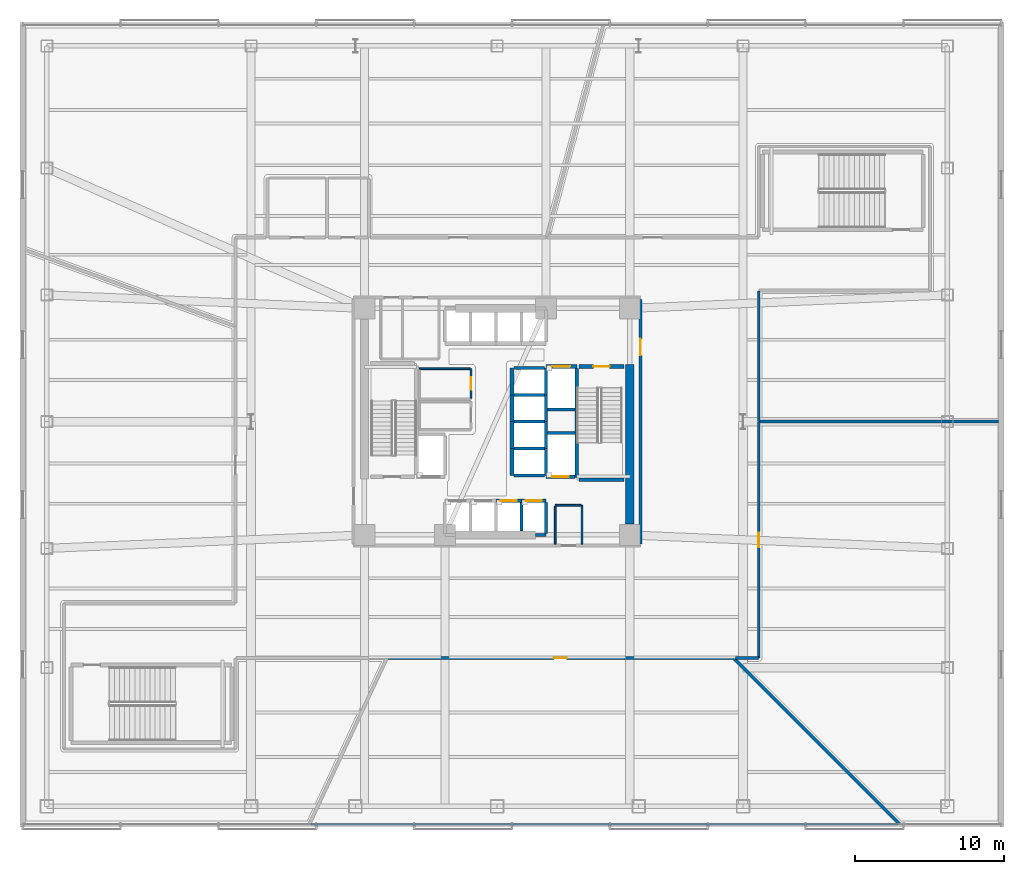
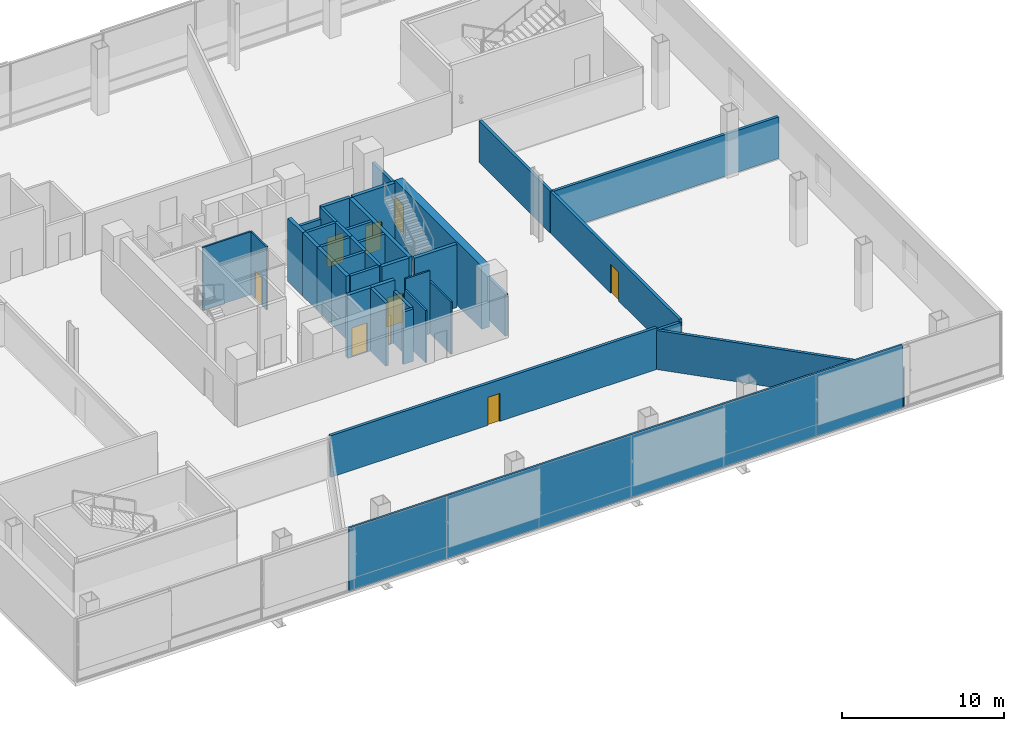
# One storey, part 12 of 24: 39 walls, 9 doors, 9 openings.
"""IFC4 building model written with IfcOpenShell, lengths in metres."""

from ifc_helpers import new_model, si_unit, direction, frame, frame_2d, origin, place, context, subcontext, project, spatial, rectangle, extrude, material, layer, layer_set, type_object, element, fill, save


model = new_model("IFC4")

# Units and contexts
model_context = context("Model", 3, precision=1e-05, world=origin(), true_north=direction((0.0, 1.0)))
body_context = subcontext(model_context, "Body", "Model", "MODEL_VIEW")
ifc_project = project(units=[si_unit("LENGTHUNIT", "METRE"), si_unit("AREAUNIT", "SQUARE_METRE"), si_unit("VOLUMEUNIT", "CUBIC_METRE"), si_unit("PLANEANGLEUNIT", "RADIAN"), si_unit("MASSUNIT", "GRAM", prefix="KILO")], contexts=[model_context])

# Site, building, storey
site_placement = place(None, origin())
site = spatial("IfcSite", under=ifc_project, at=site_placement, CompositionType="ELEMENT")
building_placement = place(site_placement, origin())
building = spatial("IfcBuilding", under=site, at=building_placement, Name="Tharavind Bronze Gate", CompositionType="ELEMENT")
storey_placement = place(building_placement, frame((0.0, 0.0, 21.5)))
storey = spatial("IfcBuildingStorey", under=building, at=storey_placement, Name="L04", CompositionType="ELEMENT", Elevation=21.5)

# Wall, opening, door
ifc_material_1 = material(Name="Aerated Concrete Block", Category="concrete")
ifc_layer_1 = layer(ifc_material_1, 0.199951171875)
ifc_layer_set_1 = layer_set([ifc_layer_1], Name="Aerated Concrete Block")
wall_type_1 = type_object("IfcWallType", Name="FIRE RATED PARTITION 200", PredefinedType="PARTITIONING", material=ifc_layer_set_1)
wall_1_placement = place(storey_placement, frame((9.6201171875, -8.199951171875, 0.0), z_axis=(0.0, 0.0, 1.0), x_axis=(0.0, 1.0, 0.0)))
wall_1 = element("IfcWall", 1, at=wall_1_placement, inside=storey, type_object=wall_type_1, Name="L04 east core corridor wall", PredefinedType="PARTITIONING", context=body_context, shape_type="SweptSolid", body=[
    extrude(rectangle(XDim=16.39990234375, YDim=0.199951171875, at=frame_2d((8.199951171875, 0.0))), origin(), (0.0, 0.0, 1.0), 3.135009765625),
])
opening_1_placement = place(wall_1_placement, frame((12.64990234375, 0.0, 0.0)))
opening_1 = element("IfcOpeningElement", 2, at=opening_1_placement, cuts=wall_1, Name="Opening ID01", PredefinedType="OPENING", context=body_context, shape_type="SweptSolid", body=[
    extrude(rectangle(XDim=1.10009765625, YDim=2.14990234375, at=frame_2d((0.550048828125, 1.074951171875))), frame((0.0, 0.11009765625, 0.0), z_axis=(0.0, -1.0, 0.0), x_axis=(1.0, 0.0, 0.0)), (0.0, 0.0, 1.0), 0.219951171875),
])
ifc_material_2 = material(Name="Fire-Rated Steel", Category="steel")
door_type_1 = type_object("IfcDoorType", Name="STAIR CORE FIRE DOOR 1100X2150", OperationType="SINGLE_SWING_LEFT", PredefinedType="DOOR", material=ifc_material_2)
door_1_placement = place(opening_1_placement, frame((1.10009765625, 0.0, 0.0), z_axis=(0.0, 0.0, 1.0), x_axis=(-1.0, 0.0, 0.0)))
door_1 = element("IfcDoor", 3, at=door_1_placement, inside=storey, type_object=door_type_1, Name="L04 north east stair lobby fire door", OperationType="SINGLE_SWING_LEFT", OverallHeight=2.14990234375, OverallWidth=1.10009765625, PredefinedType="DOOR", context=body_context, shape_type="SweptSolid", body=[
    extrude(rectangle(XDim=1.10009765625, YDim=2.14990234375, at=frame_2d((0.550048828125, 1.074951171875))), frame((0.0, 0.02490234375, 0.0), z_axis=(0.0, -1.0, 0.0), x_axis=(1.0, 0.0, 0.0)), (0.0, 0.0, 1.0), 0.050048828125),
])
fill(opening_1, door_1)

wall_2_placement = place(storey_placement, frame((-7.375, -15.85009765625, 0.0), z_axis=(0.0, 0.0, 1.0), x_axis=(1.0, 0.0, 0.0)))
wall_2 = element("IfcWall", 4, at=wall_2_placement, inside=storey, type_object=wall_type_1, Name="L04 Public Restrooms & Locker Block partition", PredefinedType="PARTITIONING", context=body_context, shape_type="SweptSolid", body=[
    extrude(rectangle(XDim=23.214599609375, YDim=0.199951171875, at=frame_2d((11.607421875, 0.0))), origin(), (0.0, 0.0, 1.0), 3.135009765625),
])
opening_2_placement = place(wall_2_placement, frame((11.181884765625, 0.0, 0.0)))
opening_2 = element("IfcOpeningElement", 5, at=opening_2_placement, cuts=wall_2, Name="Opening ID06", PredefinedType="OPENING", context=body_context, shape_type="SweptSolid", body=[
    extrude(rectangle(XDim=0.85009765625, YDim=2.10009765625, at=frame_2d((0.425048828125, 1.050048828125))), frame((0.0, 0.11009765625, 0.0), z_axis=(0.0, -1.0, 0.0), x_axis=(1.0, 0.0, 0.0)), (0.0, 0.0, 1.0), 0.219951171875),
])
ifc_material_3 = material(Name="Moisture-Resistant Timber", Category="wood")
door_type_2 = type_object("IfcDoorType", Name="BATHROOM PRIVACY DOOR 850X2100", OperationType="SINGLE_SWING_RIGHT", PredefinedType="DOOR", material=ifc_material_3)
door_2_placement = place(opening_2_placement, origin())
door_2 = element("IfcDoor", 6, at=door_2_placement, inside=storey, type_object=door_type_2, Name="L04 Public Restrooms & Locker Block door", OperationType="SINGLE_SWING_RIGHT", OverallHeight=2.10009765625, OverallWidth=0.85009765625, PredefinedType="DOOR", context=body_context, shape_type="SweptSolid", body=[
    extrude(rectangle(XDim=0.85009765625, YDim=2.10009765625, at=frame_2d((0.425048828125, 1.050048828125))), frame((0.0, 0.02490234375, 0.0), z_axis=(0.0, -1.0, 0.0), x_axis=(1.0, 0.0, 0.0)), (0.0, 0.0, 1.0), 0.050048828125),
])
fill(opening_2, door_2)

# Walls
wall_3_placement = place(storey_placement, frame((15.857421875, -15.857421875, 0.0), z_axis=(0.0, 0.0, 1.0), x_axis=(0.707106781187, -0.707106781187, 0.0)))
element("IfcWall", 7, at=wall_3_placement, inside=storey, type_object=wall_type_1, Name="L04 Public Restrooms & Locker Block partition", PredefinedType="PARTITIONING", context=body_context, shape_type="SweptSolid", body=[
    extrude(rectangle(XDim=15.786376953125, YDim=0.199951171875, at=frame_2d((7.89306640625, 0.0))), origin(), (0.0, 0.0, 1.0), 2.93505859375),
])
wall_4_placement = place(storey_placement, frame((33.639892578125, 0.0, 0.0), z_axis=(0.0, 0.0, 1.0), x_axis=(-1.0, 0.0, 0.0)))
element("IfcWall", 8, at=wall_4_placement, inside=storey, type_object=wall_type_1, Name="L04 Wellness Spa Treatment Hall partition", PredefinedType="PARTITIONING", context=body_context, shape_type="SweptSolid", body=[
    extrude(rectangle(XDim=16.06494140625, YDim=0.199951171875, at=frame_2d((8.032470703125, 0.0))), origin(), (0.0, 0.0, 1.0), 3.135009765625),
])
wall_5_placement = place(storey_placement, frame((17.550048828125, 0.02490234375, 0.0), z_axis=(0.0, 0.0, 1.0), x_axis=(0.0, 1.0, 0.0)))
element("IfcWall", 9, at=wall_5_placement, inside=storey, type_object=wall_type_1, Name="L04 Wellness Spa Treatment Hall partition", PredefinedType="PARTITIONING", context=body_context, shape_type="SweptSolid", body=[
    extrude(rectangle(XDim=8.75, YDim=0.199951171875, at=frame_2d((4.375, 0.0))), origin(), (0.0, 0.0, 1.0), 3.135009765625),
])

# Wall, opening, door
wall_6_placement = place(storey_placement, frame((17.550048828125, -15.849365234375, 0.0), z_axis=(0.0, 0.0, 1.0), x_axis=(0.0, 1.0, 0.0)))
wall_6 = element("IfcWall", 10, at=wall_6_placement, inside=storey, type_object=wall_type_1, Name="L04 Wellness Administration Office partition", PredefinedType="PARTITIONING", context=body_context, shape_type="SweptSolid", body=[
    extrude(rectangle(XDim=15.824462890625, YDim=0.199951171875, at=frame_2d((7.912109375, 0.0))), origin(), (0.0, 0.0, 1.0), 3.135009765625),
])
opening_3_placement = place(wall_6_placement, frame((7.412109375, 0.0, 0.0)))
opening_3 = element("IfcOpeningElement", 11, at=opening_3_placement, cuts=wall_6, Name="Opening ID04", PredefinedType="OPENING", context=body_context, shape_type="SweptSolid", body=[
    extrude(rectangle(XDim=1.0, YDim=2.14990234375, at=frame_2d((0.5, 1.074951171875))), frame((0.0, 0.11009765625, 0.0), z_axis=(0.0, -1.0, 0.0), x_axis=(1.0, 0.0, 0.0)), (0.0, 0.0, 1.0), 0.219951171875),
])
ifc_material_4 = material(Name="Bronze Framed Acoustic Timber", Category="wood")
door_type_3 = type_object("IfcDoorType", Name="OFFICE TENANCY DOOR 1000X2150", OperationType="SINGLE_SWING_RIGHT", PredefinedType="DOOR", material=ifc_material_4)
door_3_placement = place(opening_3_placement, origin())
door_3 = element("IfcDoor", 12, at=door_3_placement, inside=storey, type_object=door_type_3, Name="L04 Wellness Administration Office door", OperationType="SINGLE_SWING_RIGHT", OverallHeight=2.14990234375, OverallWidth=1.0, PredefinedType="DOOR", context=body_context, shape_type="SweptSolid", body=[
    extrude(rectangle(XDim=1.0, YDim=2.14990234375, at=frame_2d((0.5, 1.074951171875))), frame((0.0, 0.02490234375, 0.0), z_axis=(0.0, -1.0, 0.0), x_axis=(1.0, 0.0, 0.0)), (0.0, 0.0, 1.0), 0.050048828125),
])
fill(opening_3, door_3)

# Wall
wall_7_placement = place(storey_placement, frame((15.99853515625, -15.85009765625, 0.0), z_axis=(0.0, 0.0, 1.0), x_axis=(1.0, 0.0, 0.0)))
element("IfcWall", 13, at=wall_7_placement, inside=storey, type_object=wall_type_1, Name="L04 Wellness Administration Office partition", PredefinedType="PARTITIONING", context=body_context, shape_type="SweptSolid", body=[
    extrude(rectangle(XDim=1.55078125, YDim=0.199951171875, at=frame_2d((0.775390625, 0.0))), origin(), (0.0, 0.0, 1.0), 2.93505859375),
])

# Wall, opening, door
ifc_material_5 = material(Name="Metal Stud Gypsum Partition", Category="gypsum")
ifc_layer_2 = layer(ifc_material_5, 0.1201171875)
ifc_layer_set_2 = layer_set([ifc_layer_2], Name="Metal Stud Gypsum Partition")
wall_type_2 = type_object("IfcWallType", Name="INTERIOR PARTITION WALL 120", PredefinedType="PARTITIONING", material=ifc_layer_set_2)
wall_8_placement = place(storey_placement, frame((-1.75, 1.5849609375, 0.0), z_axis=(0.0, 0.0, 1.0), x_axis=(0.0, 1.0, 0.0)))
wall_8 = element("IfcWall", 14, at=wall_8_placement, inside=storey, type_object=wall_type_2, Name="L04 Cleaner Store Room partition 2", PredefinedType="PARTITIONING", context=body_context, shape_type="SweptSolid", body=[
    extrude(rectangle(XDim=1.965087890625, YDim=0.1201171875, at=frame_2d((0.982421875, 0.0))), origin(), (0.0, 0.0, 1.0), 4.739990234375),
])
opening_4_placement = place(wall_8_placement, frame((0.556884765625, 0.0, 0.0)))
opening_4 = element("IfcOpeningElement", 15, at=opening_4_placement, cuts=wall_8, Name="Opening ID06", PredefinedType="OPENING", context=body_context, shape_type="SweptSolid", body=[
    extrude(rectangle(XDim=0.85009765625, YDim=2.10009765625, at=frame_2d((0.425048828125, 1.050048828125))), frame((0.0, 0.07005859375, 0.0), z_axis=(0.0, -1.0, 0.0), x_axis=(1.0, 0.0, 0.0)), (0.0, 0.0, 1.0), 0.1401171875),
])
door_4_placement = place(opening_4_placement, frame((0.85009765625, 0.0, 0.0), z_axis=(0.0, 0.0, 1.0), x_axis=(-1.0, 0.0, 0.0)))
door_4 = element("IfcDoor", 16, at=door_4_placement, inside=storey, type_object=door_type_2, Name="L04 Cleaner Store Room door", OperationType="SINGLE_SWING_RIGHT", OverallHeight=2.10009765625, OverallWidth=0.85009765625, PredefinedType="DOOR", context=body_context, shape_type="SweptSolid", body=[
    extrude(rectangle(XDim=0.85009765625, YDim=2.10009765625, at=frame_2d((0.425048828125, 1.050048828125))), frame((0.0, 0.02490234375, 0.0), z_axis=(0.0, -1.0, 0.0), x_axis=(1.0, 0.0, 0.0)), (0.0, 0.0, 1.0), 0.050048828125),
])
fill(opening_4, door_4)

# Walls
wall_9_placement = place(storey_placement, frame((-1.81494140625, 3.550048828125, 0.0), z_axis=(0.0, 0.0, 1.0), x_axis=(-1.0, 0.0, 0.0)))
element("IfcWall", 17, at=wall_9_placement, inside=storey, type_object=wall_type_2, Name="L04 Cleaner Store Room partition 3", PredefinedType="PARTITIONING", context=body_context, shape_type="SweptSolid", body=[
    extrude(rectangle(XDim=3.405029296875, YDim=0.1201171875, at=frame_2d((1.70263671875, 0.0))), origin(), (0.0, 0.0, 1.0), 4.739990234375),
])
wall_10_placement = place(storey_placement, frame((5.699951171875, -8.215087890625, 0.0), z_axis=(0.0, 0.0, 1.0), x_axis=(0.0, 1.0, 0.0)))
element("IfcWall", 18, at=wall_10_placement, inside=storey, type_object=wall_type_2, Name="L04 Janitor Store Cupboard partition 2", PredefinedType="PARTITIONING", context=body_context, shape_type="SweptSolid", body=[
    extrude(rectangle(XDim=2.614990234375, YDim=0.1201171875, at=frame_2d((1.3076171875, 0.0))), origin(), (0.0, 0.0, 1.0), 3.93505859375),
])
wall_11_placement = place(storey_placement, frame((5.635009765625, -5.60009765625, 0.0), z_axis=(0.0, 0.0, 1.0), x_axis=(-1.0, 0.0, 0.0)))
element("IfcWall", 19, at=wall_11_placement, inside=storey, type_object=wall_type_2, Name="L04 Janitor Store Cupboard partition 3", PredefinedType="PARTITIONING", context=body_context, shape_type="SweptSolid", body=[
    extrude(rectangle(XDim=1.735107421875, YDim=0.1201171875, at=frame_2d((0.86767578125, 0.0))), origin(), (0.0, 0.0, 1.0), 4.739990234375),
])
wall_12_placement = place(storey_placement, frame((3.89990234375, -5.6650390625, 0.0), z_axis=(0.0, 0.0, 1.0), x_axis=(0.0, -1.0, 0.0)))
element("IfcWall", 20, at=wall_12_placement, inside=storey, type_object=wall_type_2, Name="L04 Janitor Store Cupboard partition 4", PredefinedType="PARTITIONING", context=body_context, shape_type="SweptSolid", body=[
    extrude(rectangle(XDim=2.550048828125, YDim=0.1201171875, at=frame_2d((1.27490234375, 0.0))), origin(), (0.0, 0.0, 1.0), 3.93505859375),
])
ifc_material_6 = material(Name="Twin Stud Acoustic Gypsum", Category="gypsum")
ifc_layer_3 = layer(ifc_material_6, 0.14990234375)
ifc_layer_set_3 = layer_set([ifc_layer_3], Name="Twin Stud Acoustic Gypsum")
wall_type_3 = type_object("IfcWallType", Name="INTERIOR PARTITION WALL 150", PredefinedType="PARTITIONING", material=ifc_layer_set_3)
wall_13_placement = place(storey_placement, frame((26.87158203125, -27.02001953125, 0.0), z_axis=(0.0, 0.0, 1.0), x_axis=(-1.0, 0.0, 0.0)))
element("IfcWall", 21, at=wall_13_placement, inside=storey, type_object=wall_type_3, Name="L04 Public Restrooms & Locker Block partition", PredefinedType="PARTITIONING", context=body_context, shape_type="SweptSolid", body=[
    extrude(rectangle(XDim=39.355224609375, YDim=0.14990234375, at=frame_2d((19.677734375, 0.0))), origin(), (0.0, 0.0, 1.0), 4.739990234375),
])
ifc_material_7 = material(Name="Concrete C50/60", Category="concrete")
ifc_layer_4 = layer(ifc_material_7, 0.25)
ifc_layer_set_4 = layer_set([ifc_layer_4], Name="Concrete C50/60")
wall_type_4 = type_object("IfcWallType", Name="RC CORE SHEAR WALL 250", PredefinedType="SHEAR", material=ifc_layer_set_4)
wall_14_placement = place(storey_placement, frame((5.35009765625, -3.75, 0.0), z_axis=(0.0, 0.0, 1.0), x_axis=(0.0, 1.0, 0.0)))
element("IfcWall", 22, at=wall_14_placement, inside=storey, type_object=wall_type_4, Name="L04 ST2 shaft west wall", PredefinedType="SHEAR", context=body_context, shape_type="SweptSolid", body=[
    extrude(rectangle(XDim=7.300048828125, YDim=0.25, at=frame_2d((3.64990234375, 0.0))), origin(), (0.0, 0.0, 1.0), 4.739990234375),
])

# Wall, opening, door
wall_15_placement = place(storey_placement, frame((5.5, 3.699951171875, 0.0), z_axis=(0.0, 0.0, 1.0), x_axis=(1.0, 0.0, 0.0)))
wall_15 = element("IfcWall", 23, at=wall_15_placement, inside=storey, type_object=wall_type_4, Name="L04 ST2 shaft north wall", PredefinedType="SHEAR", context=body_context, shape_type="SweptSolid", body=[
    extrude(rectangle(XDim=3.0, YDim=0.25, at=frame_2d((1.5, 0.0))), origin(), (0.0, 0.0, 1.0), 4.739990234375),
])
opening_5_placement = place(wall_15_placement, frame((0.949951171875, 0.0, 0.0)))
opening_5 = element("IfcOpeningElement", 24, at=opening_5_placement, cuts=wall_15, Name="Opening ID01", PredefinedType="OPENING", context=body_context, shape_type="SweptSolid", body=[
    extrude(rectangle(XDim=1.10009765625, YDim=2.14990234375, at=frame_2d((0.550048828125, 1.074951171875))), frame((0.0, 0.135, 0.0), z_axis=(0.0, -1.0, 0.0), x_axis=(1.0, 0.0, 0.0)), (0.0, 0.0, 1.0), 0.27),
])
door_5_placement = place(opening_5_placement, frame((1.10009765625, 0.0, 0.0), z_axis=(0.0, 0.0, 1.0), x_axis=(-1.0, 0.0, 0.0)))
door_5 = element("IfcDoor", 25, at=door_5_placement, inside=storey, type_object=door_type_1, Name="L04 exit stair ST2 fire door", OperationType="SINGLE_SWING_LEFT", OverallHeight=2.14990234375, OverallWidth=1.10009765625, PredefinedType="DOOR", context=body_context, shape_type="SweptSolid", body=[
    extrude(rectangle(XDim=1.10009765625, YDim=2.14990234375, at=frame_2d((0.550048828125, 1.074951171875))), frame((0.0, 0.02490234375, 0.0), z_axis=(0.0, -1.0, 0.0), x_axis=(1.0, 0.0, 0.0)), (0.0, 0.0, 1.0), 0.050048828125),
])
fill(opening_5, door_5)

# Wall
wall_16_placement = place(storey_placement, frame((5.5, -3.89990234375, 0.0), z_axis=(0.0, 0.0, 1.0), x_axis=(1.0, 0.0, 0.0)))
element("IfcWall", 26, at=wall_16_placement, inside=storey, type_object=wall_type_4, Name="L04 ST2 shaft south wall", PredefinedType="SHEAR", context=body_context, shape_type="SweptSolid", body=[
    extrude(rectangle(XDim=3.0, YDim=0.25, at=frame_2d((1.5, 0.0))), origin(), (0.0, 0.0, 1.0), 4.739990234375),
])

# Wall, opening, door
wall_17_placement = place(storey_placement, frame((-0.074951171875, -5.300048828125, 0.0), z_axis=(0.0, 0.0, 1.0), x_axis=(1.0, 0.0, 0.0)))
wall_17 = element("IfcWall", 27, at=wall_17_placement, inside=storey, type_object=wall_type_4, Name="L04 lift PL3 shaft front wall", PredefinedType="SHEAR", context=body_context, shape_type="SweptSolid", body=[
    extrude(rectangle(XDim=1.71240234375, YDim=0.25, at=frame_2d((0.856201171875, 0.0))), origin(), (0.0, 0.0, 1.0), 4.739990234375),
])
opening_6_placement = place(wall_17_placement, frame((0.305908203125, 0.0, 0.0)))
opening_6 = element("IfcOpeningElement", 28, at=opening_6_placement, cuts=wall_17, Name="Opening LD01", PredefinedType="OPENING", context=body_context, shape_type="SweptSolid", body=[
    extrude(rectangle(XDim=1.10009765625, YDim=2.199951171875, at=frame_2d((0.550048828125, 1.10009765625))), frame((0.0, 0.135, 0.0), z_axis=(0.0, -1.0, 0.0), x_axis=(1.0, 0.0, 0.0)), (0.0, 0.0, 1.0), 0.27),
])
ifc_material_8 = material(Name="Brushed Bronze Stainless Steel", Category="steel")
door_type_4 = type_object("IfcDoorType", Name="LIFT LANDING SLIDING DOOR 1100X2200", OperationType="SLIDING_TO_LEFT", PredefinedType="DOOR", material=ifc_material_8)
door_6_placement = place(opening_6_placement, origin())
door_6 = element("IfcDoor", 29, at=door_6_placement, inside=storey, type_object=door_type_4, Name="L04 lift PL3 sliding landing door", OperationType="SLIDING_TO_LEFT", OverallHeight=2.199951171875, OverallWidth=1.10009765625, PredefinedType="DOOR", context=body_context, shape_type="SweptSolid", body=[
    extrude(rectangle(XDim=1.10009765625, YDim=2.199951171875, at=frame_2d((0.550048828125, 1.10009765625))), frame((0.0, 0.02490234375, 0.0), z_axis=(0.0, -1.0, 0.0), x_axis=(1.0, 0.0, 0.0)), (0.0, 0.0, 1.0), 0.050048828125),
])
fill(opening_6, door_6)

wall_18_placement = place(storey_placement, frame((1.637451171875, -5.300048828125, 0.0), z_axis=(0.0, 0.0, 1.0), x_axis=(1.0, 0.0, 0.0)))
wall_18 = element("IfcWall", 30, at=wall_18_placement, inside=storey, type_object=wall_type_4, Name="L04 lift PL4 shaft front wall", PredefinedType="SHEAR", context=body_context, shape_type="SweptSolid", body=[
    extrude(rectangle(XDim=1.642578125, YDim=0.25, at=frame_2d((0.8212890625, 0.0))), origin(), (0.0, 0.0, 1.0), 4.739990234375),
])
opening_7_placement = place(wall_18_placement, frame((0.27099609375, 0.0, 0.0)))
opening_7 = element("IfcOpeningElement", 31, at=opening_7_placement, cuts=wall_18, Name="Opening LD01", PredefinedType="OPENING", context=body_context, shape_type="SweptSolid", body=[
    extrude(rectangle(XDim=1.10009765625, YDim=2.199951171875, at=frame_2d((0.550048828125, 1.10009765625))), frame((0.0, 0.135, 0.0), z_axis=(0.0, -1.0, 0.0), x_axis=(1.0, 0.0, 0.0)), (0.0, 0.0, 1.0), 0.27),
])
door_7_placement = place(opening_7_placement, origin())
door_7 = element("IfcDoor", 32, at=door_7_placement, inside=storey, type_object=door_type_4, Name="L04 lift PL4 sliding landing door", OperationType="SLIDING_TO_LEFT", OverallHeight=2.199951171875, OverallWidth=1.10009765625, PredefinedType="DOOR", context=body_context, shape_type="SweptSolid", body=[
    extrude(rectangle(XDim=1.10009765625, YDim=2.199951171875, at=frame_2d((0.550048828125, 1.10009765625))), frame((0.0, 0.02490234375, 0.0), z_axis=(0.0, -1.0, 0.0), x_axis=(1.0, 0.0, 0.0)), (0.0, 0.0, 1.0), 0.050048828125),
])
fill(opening_7, door_7)

# Walls
for number, where, z_axis, x_axis, name in (
    (33, (1.0, -3.60009765625, 0.0), (0.0, 0.0, 1.0), (0.0, 1.0, 0.0), "L04 lift PL9 shaft front wall"),
    (34, (1.0, -1.800048828125, 0.0), (0.0, 0.0, 1.0), (0.0, 1.0, 0.0), "L04 lift PL10 shaft front wall"),
    (35, (1.0, 0.0, 0.0), (0.0, 0.0, 1.0), (0.0, 1.0, 0.0), "L04 lift PL11 shaft front wall"),
    (36, (1.0, 1.800048828125, 0.0), (0.0, 0.0, 1.0), (0.0, 1.0, 0.0), "L04 lift PL12 shaft front wall"),
):
    element("IfcWall", number, at=place(storey_placement, frame(where, z_axis=z_axis, x_axis=x_axis)), inside=storey, type_object=wall_type_4, Name=name, PredefinedType="SHEAR", context=body_context, shape_type="SweptSolid", body=[
        extrude(rectangle(XDim=1.800048828125, YDim=0.25, at=frame_2d((0.89990234375, 0.0))), origin(), (0.0, 0.0, 1.0), 4.739990234375),
    ])

# Wall, opening, door
wall_19_placement = place(storey_placement, frame((3.280029296875, 3.699951171875, 0.0), z_axis=(0.0, 0.0, 1.0), x_axis=(1.0, 0.0, 0.0)))
wall_19 = element("IfcWall", 37, at=wall_19_placement, inside=storey, type_object=wall_type_4, Name="L04 lift FFL2 shaft front wall", PredefinedType="SHEAR", context=body_context, shape_type="SweptSolid", body=[
    extrude(rectangle(XDim=2.070068359375, YDim=0.25, at=frame_2d((1.03515625, 0.0))), origin(), (0.0, 0.0, 1.0), 4.739990234375),
])
opening_8_placement = place(wall_19_placement, frame((0.43505859375, 0.0, 0.0)))
opening_8 = element("IfcOpeningElement", 38, at=opening_8_placement, cuts=wall_19, Name="Opening LD02", PredefinedType="OPENING", context=body_context, shape_type="SweptSolid", body=[
    extrude(rectangle(XDim=1.199951171875, YDim=2.199951171875, at=frame_2d((0.60009765625, 1.10009765625))), frame((0.0, 0.135, 0.0), z_axis=(0.0, -1.0, 0.0), x_axis=(1.0, 0.0, 0.0)), (0.0, 0.0, 1.0), 0.27),
])
ifc_material_9 = material(Name="Brushed Stainless Steel", Category="steel")
door_type_5 = type_object("IfcDoorType", Name="FIREFIGHTING LIFT LANDING DOOR 1200X2200", OperationType="SLIDING_TO_RIGHT", PredefinedType="DOOR", material=ifc_material_9)
door_8_placement = place(opening_8_placement, origin())
door_8 = element("IfcDoor", 39, at=door_8_placement, inside=storey, type_object=door_type_5, Name="L04 lift FFL2 sliding landing door", OperationType="SLIDING_TO_RIGHT", OverallHeight=2.199951171875, OverallWidth=1.199951171875, PredefinedType="DOOR", context=body_context, shape_type="SweptSolid", body=[
    extrude(rectangle(XDim=1.199951171875, YDim=2.199951171875, at=frame_2d((0.60009765625, 1.10009765625))), frame((0.0, 0.02490234375, 0.0), z_axis=(0.0, -1.0, 0.0), x_axis=(1.0, 0.0, 0.0)), (0.0, 0.0, 1.0), 0.050048828125),
])
fill(opening_8, door_8)

wall_20_placement = place(storey_placement, frame((3.280029296875, -3.699951171875, 0.0), z_axis=(0.0, 0.0, 1.0), x_axis=(1.0, 0.0, 0.0)))
wall_20 = element("IfcWall", 40, at=wall_20_placement, inside=storey, type_object=wall_type_4, Name="L04 lift SVL1 shaft front wall", PredefinedType="SHEAR", context=body_context, shape_type="SweptSolid", body=[
    extrude(rectangle(XDim=1.93994140625, YDim=0.25, at=frame_2d((0.969970703125, 0.0))), origin(), (0.0, 0.0, 1.0), 4.739990234375),
])
opening_9_placement = place(wall_20_placement, frame((0.419921875, 0.0, 0.0)))
opening_9 = element("IfcOpeningElement", 41, at=opening_9_placement, cuts=wall_20, Name="Opening LD01", PredefinedType="OPENING", context=body_context, shape_type="SweptSolid", body=[
    extrude(rectangle(XDim=1.10009765625, YDim=2.199951171875, at=frame_2d((0.550048828125, 1.10009765625))), frame((0.0, 0.135, 0.0), z_axis=(0.0, -1.0, 0.0), x_axis=(1.0, 0.0, 0.0)), (0.0, 0.0, 1.0), 0.27),
])
door_9_placement = place(opening_9_placement, origin())
door_9 = element("IfcDoor", 42, at=door_9_placement, inside=storey, type_object=door_type_4, Name="L04 lift SVL1 sliding landing door", OperationType="SLIDING_TO_LEFT", OverallHeight=2.199951171875, OverallWidth=1.10009765625, PredefinedType="DOOR", context=body_context, shape_type="SweptSolid", body=[
    extrude(rectangle(XDim=1.10009765625, YDim=2.199951171875, at=frame_2d((0.550048828125, 1.10009765625))), frame((0.0, 0.02490234375, 0.0), z_axis=(0.0, -1.0, 0.0), x_axis=(1.0, 0.0, 0.0)), (0.0, 0.0, 1.0), 0.050048828125),
])
fill(opening_9, door_9)

# Walls
ifc_material_10 = material(Name="Concrete C60/75", Category="concrete")
ifc_layer_5 = layer(ifc_material_10, 0.550048828125)
ifc_layer_set_5 = layer_set([ifc_layer_5], Name="Concrete C60/75")
wall_type_5 = type_object("IfcWallType", Name="RC CORE SHEAR WALL 550", PredefinedType="SHEAR", material=ifc_layer_set_5)
wall_21_placement = place(storey_placement, frame((8.89990234375, -6.85009765625, 0.0), z_axis=(0.0, 0.0, 1.0), x_axis=(0.0, 1.0, 0.0)))
element("IfcWall", 43, at=wall_21_placement, inside=storey, type_object=wall_type_5, Name="L04 east core shear wall", PredefinedType="SHEAR", context=body_context, shape_type="SweptSolid", body=[
    extrude(rectangle(XDim=10.7001953125, YDim=0.550048828125, at=frame_2d((5.35009765625, 0.0))), origin(), (0.0, 0.0, 1.0), 4.739990234375),
])
ifc_material_11 = material(Name="Concrete C40/50", Category="concrete")
ifc_layer_6 = layer(ifc_material_11, 0.199951171875)
ifc_layer_set_6 = layer_set([ifc_layer_6], Name="Concrete C40/50")
wall_type_6 = type_object("IfcWallType", Name="SHAFT ENCLOSURE WALL 200", PredefinedType="PARTITIONING", material=ifc_layer_set_6)
wall_22_placement = place(storey_placement, frame((1.637451171875, -7.320068359375, 0.0), z_axis=(0.0, 0.0, 1.0), x_axis=(0.0, 1.0, 0.0)))
element("IfcWall", 44, at=wall_22_placement, inside=storey, type_object=wall_type_6, Name="L04 lift PL3 shaft E enclosure wall", PredefinedType="PARTITIONING", context=body_context, shape_type="SweptSolid", body=[
    extrude(rectangle(XDim=1.89013671875, YDim=0.199951171875, at=frame_2d((0.945068359375, 0.0))), origin(), (0.0, 0.0, 1.0), 4.739990234375),
])
wall_23_placement = place(storey_placement, frame((2.580078125, -7.60009765625, 0.0), z_axis=(0.0, 0.0, 1.0), x_axis=(1.0, 0.0, 0.0)))
element("IfcWall", 45, at=wall_23_placement, inside=storey, type_object=wall_type_6, Name="L04 lift PL4 shaft S enclosure wall", PredefinedType="PARTITIONING", context=body_context, shape_type="SweptSolid", body=[
    extrude(rectangle(XDim=0.699951171875, YDim=0.199951171875, at=frame_2d((0.35009765625, 0.0))), origin(), (0.0, 0.0, 1.0), 3.93505859375),
])
wall_24_placement = place(storey_placement, frame((3.280029296875, -7.4951171875, 0.0), z_axis=(0.0, 0.0, 1.0), x_axis=(0.0, 1.0, 0.0)))
element("IfcWall", 46, at=wall_24_placement, inside=storey, type_object=wall_type_6, Name="L04 lift PL4 shaft E enclosure wall", PredefinedType="PARTITIONING", context=body_context, shape_type="SweptSolid", body=[
    extrude(rectangle(XDim=2.065185546875, YDim=0.199951171875, at=frame_2d((1.03271484375, 0.0))), origin(), (0.0, 0.0, 1.0), 3.93505859375),
])
wall_25_placement = place(storey_placement, frame((3.280029296875, -3.60009765625, 0.0), z_axis=(0.0, 0.0, 1.0), x_axis=(0.0, 1.0, 0.0)))
element("IfcWall", 47, at=wall_25_placement, inside=storey, type_object=wall_type_6, Name="L04 lift PL9 shaft E enclosure wall", PredefinedType="PARTITIONING", context=body_context, shape_type="SweptSolid", body=[
    extrude(rectangle(XDim=1.800048828125, YDim=0.199951171875, at=frame_2d((0.89990234375, 0.0))), origin(), (0.0, 0.0, 1.0), 4.739990234375),
])
for number, where, z_axis, x_axis, name in (
    (48, (1.1298828125, -3.60009765625, 0.0), (0.0, 0.0, 1.0), (1.0, 0.0, 0.0), "L04 lift PL9 shaft S enclosure wall"),
    (49, (1.1298828125, -1.800048828125, 0.0), (0.0, 0.0, 1.0), (1.0, 0.0, 0.0), "L04 lift PL9 shaft N enclosure wall"),
):
    element("IfcWall", number, at=place(storey_placement, frame(where, z_axis=z_axis, x_axis=x_axis)), inside=storey, type_object=wall_type_6, Name=name, PredefinedType="PARTITIONING", context=body_context, shape_type="SweptSolid", body=[
        extrude(rectangle(XDim=2.045166015625, YDim=0.199951171875, at=frame_2d((1.0224609375, 0.0))), origin(), (0.0, 0.0, 1.0), 4.739990234375),
    ])
wall_26_placement = place(storey_placement, frame((3.280029296875, -1.800048828125, 0.0), z_axis=(0.0, 0.0, 1.0), x_axis=(0.0, 1.0, 0.0)))
element("IfcWall", 50, at=wall_26_placement, inside=storey, type_object=wall_type_6, Name="L04 lift PL10 shaft E enclosure wall", PredefinedType="PARTITIONING", context=body_context, shape_type="SweptSolid", body=[
    extrude(rectangle(XDim=1.800048828125, YDim=0.199951171875, at=frame_2d((0.89990234375, 0.0))), origin(), (0.0, 0.0, 1.0), 4.739990234375),
])
wall_27_placement = place(storey_placement, frame((1.1298828125, 0.0, 0.0), z_axis=(0.0, 0.0, 1.0), x_axis=(1.0, 0.0, 0.0)))
element("IfcWall", 51, at=wall_27_placement, inside=storey, type_object=wall_type_6, Name="L04 lift PL10 shaft N enclosure wall", PredefinedType="PARTITIONING", context=body_context, shape_type="SweptSolid", body=[
    extrude(rectangle(XDim=2.045166015625, YDim=0.199951171875, at=frame_2d((1.0224609375, 0.0))), origin(), (0.0, 0.0, 1.0), 4.739990234375),
])
wall_28_placement = place(storey_placement, frame((3.280029296875, 0.0, 0.0), z_axis=(0.0, 0.0, 1.0), x_axis=(0.0, 1.0, 0.0)))
element("IfcWall", 52, at=wall_28_placement, inside=storey, type_object=wall_type_6, Name="L04 lift PL11 shaft E enclosure wall", PredefinedType="PARTITIONING", context=body_context, shape_type="SweptSolid", body=[
    extrude(rectangle(XDim=1.800048828125, YDim=0.199951171875, at=frame_2d((0.89990234375, 0.0))), origin(), (0.0, 0.0, 1.0), 4.739990234375),
])
wall_29_placement = place(storey_placement, frame((1.1298828125, 1.800048828125, 0.0), z_axis=(0.0, 0.0, 1.0), x_axis=(1.0, 0.0, 0.0)))
element("IfcWall", 53, at=wall_29_placement, inside=storey, type_object=wall_type_6, Name="L04 lift PL11 shaft N enclosure wall", PredefinedType="PARTITIONING", context=body_context, shape_type="SweptSolid", body=[
    extrude(rectangle(XDim=2.045166015625, YDim=0.199951171875, at=frame_2d((1.0224609375, 0.0))), origin(), (0.0, 0.0, 1.0), 4.739990234375),
])
wall_30_placement = place(storey_placement, frame((3.280029296875, 1.800048828125, 0.0), z_axis=(0.0, 0.0, 1.0), x_axis=(0.0, 1.0, 0.0)))
element("IfcWall", 54, at=wall_30_placement, inside=storey, type_object=wall_type_6, Name="L04 lift PL12 shaft E enclosure wall", PredefinedType="PARTITIONING", context=body_context, shape_type="SweptSolid", body=[
    extrude(rectangle(XDim=1.800048828125, YDim=0.199951171875, at=frame_2d((0.89990234375, 0.0))), origin(), (0.0, 0.0, 1.0), 4.739990234375),
])
wall_31_placement = place(storey_placement, frame((1.1298828125, 3.60009765625, 0.0), z_axis=(0.0, 0.0, 1.0), x_axis=(1.0, 0.0, 0.0)))
element("IfcWall", 55, at=wall_31_placement, inside=storey, type_object=wall_type_6, Name="L04 lift PL12 shaft N enclosure wall", PredefinedType="PARTITIONING", context=body_context, shape_type="SweptSolid", body=[
    extrude(rectangle(XDim=2.045166015625, YDim=0.199951171875, at=frame_2d((1.0224609375, 0.0))), origin(), (0.0, 0.0, 1.0), 3.93505859375),
])
for number, where, z_axis, x_axis, name in (
    (56, (3.385009765625, 0.800048828125, 0.0), (0.0, 0.0, 1.0), (1.0, 0.0, 0.0), "L04 lift FFL2 shaft S enclosure wall"),
    (57, (3.385009765625, -0.75, 0.0), (0.0, 0.0, 1.0), (1.0, 0.0, 0.0), "L04 lift SVL1 shaft N enclosure wall"),
):
    element("IfcWall", number, at=place(storey_placement, frame(where, z_axis=z_axis, x_axis=x_axis)), inside=storey, type_object=wall_type_6, Name=name, PredefinedType="PARTITIONING", context=body_context, shape_type="SweptSolid", body=[
        extrude(rectangle(XDim=1.8349609375, YDim=0.199951171875, at=frame_2d((0.91748046875, 0.0))), origin(), (0.0, 0.0, 1.0), 4.739990234375),
    ])

save(model, "model.ifc")
